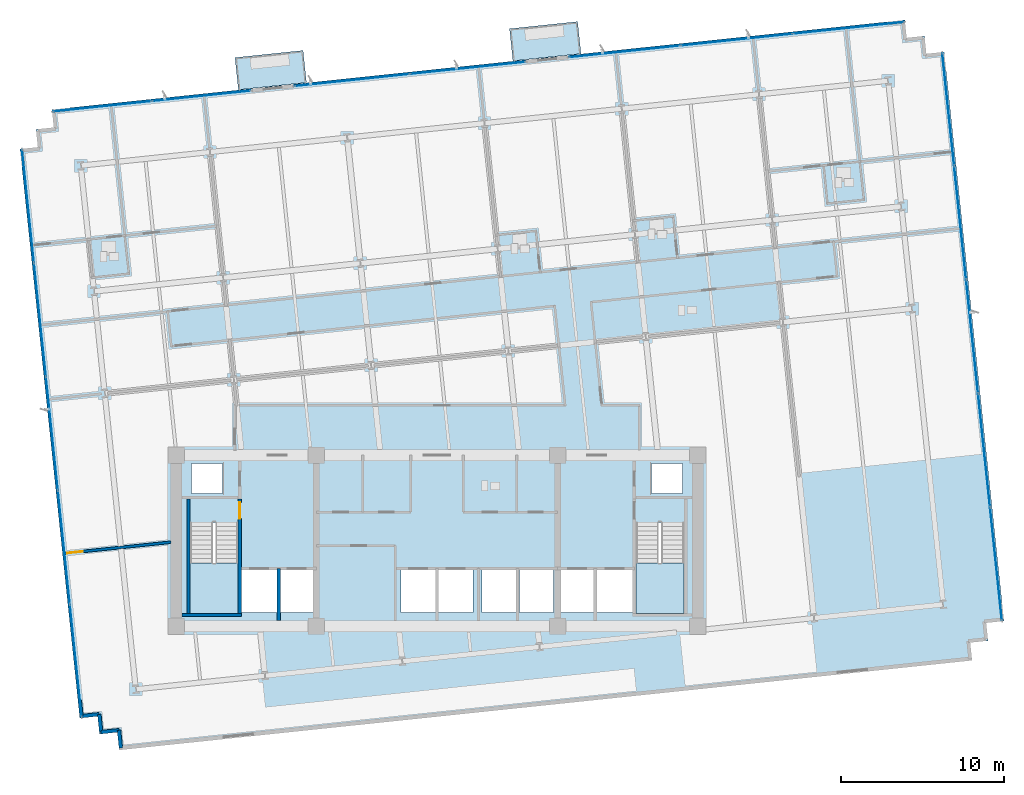
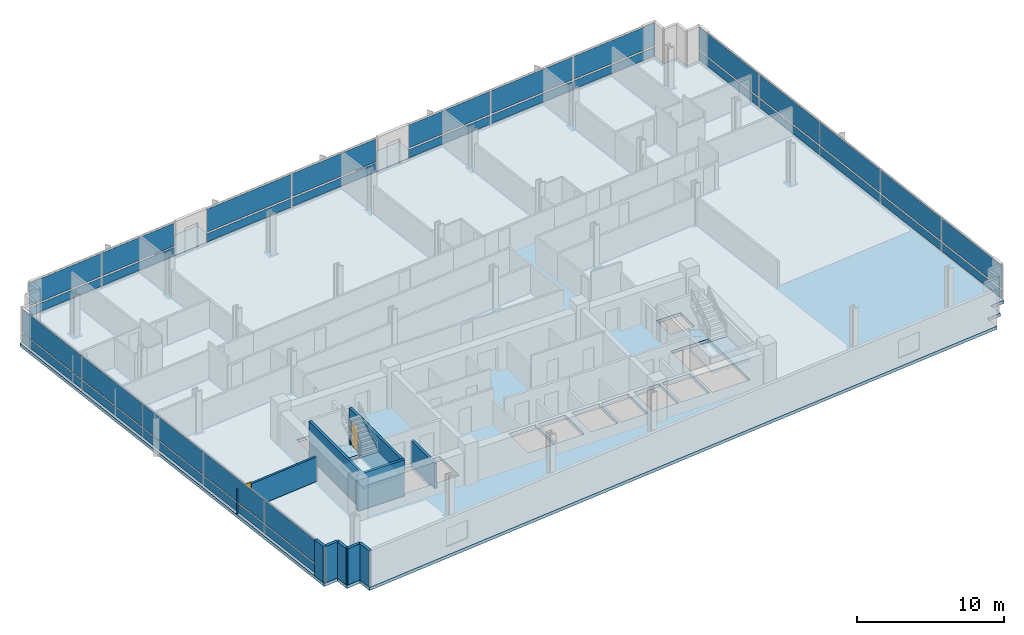
# One storey, part 9 of 18: 34 plates, 10 walls, 5 slabs, 2 doors, 2 openings, 7 elements without a shape of their own.
"""IFC4 building model written with IfcOpenShell, lengths in metres."""

import ifcopenshell
import ifcopenshell.guid

model = None  # the IFC model being written
_history = None  # IfcOwnerHistory: only IFC2X3 demands one
_inside = {}  # id of a spatial element -> (the spatial element, [elements in it])
_under = {}  # id of a project, library or spatial element -> (it, [spatial elements below it])
_declared = {}  # id of a project -> (the project, [libraries it declares])
_typed = {}  # id of a type object -> (the type object, [elements of that type])
_made_of = {}  # id of a material, layer set ... -> (it, [elements and type objects made of it])


def new_model(schema):
    """Start an empty IFC model of exactly this schema.

    Asked for "IFC4X3", IfcOpenShell would pick the latest addendum, in which some entities
    have other attributes; the version numbers below select the first issue.
    IFC2X3 requires an IfcOwnerHistory on every rooted entity: one is made here for all.
    """
    global model, _history
    if schema == "IFC4X3":
        model = ifcopenshell.file(schema_version=(4, 3, 0, 0))
    else:
        model = ifcopenshell.file(schema=schema)
    _inside.clear()
    _under.clear()
    _declared.clear()
    _typed.clear()
    _made_of.clear()
    _history = None
    if model.schema == "IFC2X3":
        org = make("IfcOrganization", Name="unknown")
        user = make(
            "IfcPersonAndOrganization",
            ThePerson=make("IfcPerson", FamilyName="unknown"),
            TheOrganization=org,
        )
        app = make(
            "IfcApplication",
            ApplicationDeveloper=org,
            Version="unknown",
            ApplicationFullName="unknown",
            ApplicationIdentifier="unknown",
        )
        _history = make(
            "IfcOwnerHistory",
            OwningUser=user,
            OwningApplication=app,
            ChangeAction="ADDED",
            CreationDate=0,
        )
    return model


def make(cls, **values):
    """One entity of the class cls with the attributes given. An attribute that is None is left unset."""
    return model.create_entity(
        cls, **{name: value for name, value in values.items() if value is not None}
    )


def rooted(cls, **values):
    """An entity with a GlobalId (a new one), such as an element, a storey or a relation."""
    return make(cls, GlobalId=ifcopenshell.guid.new(), OwnerHistory=_history, **values)


def si_unit(unit_type, name, prefix=None):
    """IfcSIUnit, for example si_unit("LENGTHUNIT", "METRE", prefix="MILLI")."""
    return make("IfcSIUnit", UnitType=unit_type, Prefix=prefix, Name=name)


def assignment(units):
    """IfcUnitAssignment: the units of a project."""
    return None if units is None else make("IfcUnitAssignment", Units=units)


def point(xyz):
    """IfcCartesianPoint."""
    return None if xyz is None else make("IfcCartesianPoint", Coordinates=xyz)


def direction(xyz):
    """IfcDirection."""
    return None if xyz is None else make("IfcDirection", DirectionRatios=xyz)


def frame(location, z_axis=None, x_axis=None):
    """IfcAxis2Placement3D, a coordinate frame: its origin and axes. An axis left out is left unset."""
    return make(
        "IfcAxis2Placement3D",
        Location=point(location),
        Axis=direction(z_axis),
        RefDirection=direction(x_axis),
    )


def frame_2d(location, x_axis=None):
    """IfcAxis2Placement2D, a coordinate frame in the plane: its origin and x axis."""
    return make(
        "IfcAxis2Placement2D", Location=point(location), RefDirection=direction(x_axis)
    )


def origin():
    """The frame at (0, 0, 0) with its axes left unset."""
    return frame((0.0, 0.0, 0.0))


def origin_2d():
    """The frame at (0, 0) in the plane with its x axis left unset."""
    return frame_2d((0.0, 0.0))


def place(relative_to, where):
    """IfcLocalPlacement: puts the frame where relative to a parent placement (None: the world)."""
    return make(
        "IfcLocalPlacement", PlacementRelTo=relative_to, RelativePlacement=where
    )


def context(
    kind, dimensions, precision=None, world=None, true_north=None, identifier=None
):
    """IfcGeometricRepresentationContext, for example the 3D "Model" context."""
    return make(
        "IfcGeometricRepresentationContext",
        ContextIdentifier=identifier,
        ContextType=kind,
        CoordinateSpaceDimension=dimensions,
        Precision=precision,
        WorldCoordinateSystem=world,
        TrueNorth=true_north,
    )


def subcontext(parent, identifier, kind, view, scale=None):
    """IfcGeometricRepresentationSubContext, for example "Body" below "Model"."""
    return make(
        "IfcGeometricRepresentationSubContext",
        ContextIdentifier=identifier,
        ContextType=kind,
        ParentContext=parent,
        TargetScale=scale,
        TargetView=view,
    )


def project(units=None, contexts=None):
    """IfcProject with its units and contexts."""
    return rooted(
        "IfcProject",
        Name="project",
        RepresentationContexts=contexts,
        UnitsInContext=assignment(units),
    )


def spatial(cls, under=None, at=None, **own):
    """A site, building, storey or space (cls), placed at a placement, below another one or the project."""
    s = rooted(cls, ObjectPlacement=at, **own)
    if under is not None:
        _under.setdefault(under.id(), (under, []))[1].append(s)
    return s


def polyline(points):
    """IfcPolyline through the points."""
    return make("IfcPolyline", Points=[point(p) for p in points])


def profile(cls, at=None, kind="AREA", **sizes):
    """A parametric profile (cls). Its sizes go by their IFC names, for example OverallWidth=200.0."""
    return make(cls, ProfileType=kind, Position=at, **sizes)


def rectangle(**sizes):
    """IfcRectangleProfileDef."""
    return profile("IfcRectangleProfileDef", **sizes)


def outline(outer, holes=None, kind="AREA"):
    """IfcArbitraryClosedProfileDef: a profile drawn as a closed curve; with holes, ...WithVoids."""
    if holes is None:
        return make("IfcArbitraryClosedProfileDef", ProfileType=kind, OuterCurve=outer)
    return make(
        "IfcArbitraryProfileDefWithVoids",
        ProfileType=kind,
        OuterCurve=outer,
        InnerCurves=holes,
    )


def extrude(swept, where, along, depth):
    """IfcExtrudedAreaSolid: the profile swept, set in the frame where, extruded along a direction by depth."""
    return make(
        "IfcExtrudedAreaSolid",
        SweptArea=swept,
        Position=where,
        ExtrudedDirection=direction(along),
        Depth=depth,
    )


def shape(context_of_items, identifier, shape_type, items):
    """IfcShapeRepresentation: the items that make up one representation, for example the "Body"."""
    return make(
        "IfcShapeRepresentation",
        ContextOfItems=context_of_items,
        RepresentationIdentifier=identifier,
        RepresentationType=shape_type,
        Items=items,
    )


def material(Name=None, Category=None):
    """IfcMaterial."""
    return make("IfcMaterial", Name=Name, Category=Category)


def layer(
    of_material, thickness, ventilated=None, Name=None, Category=None, Priority=None
):
    """IfcMaterialLayer: one layer of a wall or slab, of a material (None: an air gap)."""
    return make(
        "IfcMaterialLayer",
        Material=of_material,
        LayerThickness=thickness,
        IsVentilated=ventilated,
        Name=Name,
        Category=Category,
        Priority=Priority,
    )


def layer_set(layers, Name=None):
    """IfcMaterialLayerSet."""
    return make("IfcMaterialLayerSet", MaterialLayers=layers, LayerSetName=Name)


def made_of(thing, what):
    """Note that an element or type object is made of a material, layer set ...; save() writes the relation."""
    if what is not None:
        _made_of.setdefault(what.id(), (what, []))[1].append(thing)
    return thing


def type_object(cls, material=None, **own):
    """A type object (cls), such as IfcWallType, which elements share."""
    return made_of(rooted(cls, **own), material)


def element(
    cls,
    number,
    at=None,
    inside=None,
    cuts=None,
    type_object=None,
    material=None,
    context=None,
    identifier="Body",
    shape_type=None,
    held_by="IfcProductDefinitionShape",
    body=None,
    shapes=None,
    **own,
):
    """One element of the class cls, such as IfcWall. Its Tag is "e" and its number.

    at: its placement. inside: the storey or other place that contains it. cuts: it is an
    opening in that element (IfcRelVoidsElement). A single representation is given by context,
    identifier, shape_type and body (its items); several are given by shapes. held_by: the class
    of the entity that holds the representations. save() writes the other relations.
    """
    e = rooted(cls, Tag="e%d" % number, ObjectPlacement=at, **own)
    if body is not None:
        shapes = [shape(context, identifier, shape_type, body)]
    if shapes is not None:
        e.Representation = make(held_by, Representations=shapes)
    if inside is not None:
        _inside.setdefault(inside.id(), (inside, []))[1].append(e)
    if cuts is not None:
        rooted(
            "IfcRelVoidsElement", RelatingBuildingElement=cuts, RelatedOpeningElement=e
        )
    if type_object is not None:
        _typed.setdefault(type_object.id(), (type_object, []))[1].append(e)
    return made_of(e, material)


def fill(opening, filler):
    """IfcRelFillsElement: the door or window that sits in an opening."""
    return rooted(
        "IfcRelFillsElement",
        RelatingOpeningElement=opening,
        RelatedBuildingElement=filler,
    )


def aggregate(whole, parts):
    """IfcRelAggregates: a whole, such as a stair, and the parts it consists of."""
    return rooted("IfcRelAggregates", RelatingObject=whole, RelatedObjects=parts)


def save(model, path):
    """Write the relations noted so far, then the file.

    IfcRelAggregates (storeys below a building ...), IfcRelContainedInSpatialStructure (elements
    in a storey), IfcRelDefinesByType, IfcRelAssociatesMaterial and IfcRelDeclares: one each for
    every whole, place, type object, material and project.
    """
    for whole, parts in _under.values():
        aggregate(whole, parts)
    for where, things in _inside.values():
        rooted(
            "IfcRelContainedInSpatialStructure",
            RelatedElements=things,
            RelatingStructure=where,
        )
    for kind, things in _typed.values():
        rooted("IfcRelDefinesByType", RelatedObjects=things, RelatingType=kind)
    for what, things in _made_of.values():
        rooted("IfcRelAssociatesMaterial", RelatedObjects=things, RelatingMaterial=what)
    for by, libraries in _declared.values():
        rooted("IfcRelDeclares", RelatingContext=by, RelatedDefinitions=libraries)
    model.write(path)


model = new_model("IFC4")

# Units and contexts
model_context = context("Model", 3, precision=1e-05, world=origin(), true_north=direction((0.0, 1.0)))
body_context = subcontext(model_context, "Body", "Model", "MODEL_VIEW")
ifc_project = project(units=[si_unit("LENGTHUNIT", "METRE"), si_unit("AREAUNIT", "SQUARE_METRE"), si_unit("VOLUMEUNIT", "CUBIC_METRE"), si_unit("PLANEANGLEUNIT", "RADIAN"), si_unit("MASSUNIT", "GRAM", prefix="KILO")], contexts=[model_context])

# Site, building, storey
site_placement = place(None, origin())
site = spatial("IfcSite", under=ifc_project, at=site_placement, CompositionType="ELEMENT")
building_placement = place(site_placement, origin())
building = spatial("IfcBuilding", under=site, at=building_placement, Name="Solmavex Isthmus Hotel", CompositionType="ELEMENT")
storey_placement = place(building_placement, frame((0.0, 0.0, 127.050048828125)))
storey = spatial("IfcBuildingStorey", under=building, at=storey_placement, Name="L34", CompositionType="ELEMENT", Elevation=127.050048828125)

# Curtain wall, plates
ifc_material_1 = material(Name="Aluminium alloy 6063-T6", Category="aluminium")
curtain_wall_type = type_object("IfcCurtainWallType", Name="CW-SYS-03", PredefinedType="NOTDEFINED", material=ifc_material_1)
curtain_wall_1_placement = place(storey_placement, origin())
curtain_wall_1 = element("IfcCurtainWall", 1, at=curtain_wall_1_placement, inside=storey, type_object=curtain_wall_type, Name="Stick Curtain Wall CWL-L34-N1", PredefinedType="NOTDEFINED")
ifc_material_2 = material(Name="Clear low-E laminated glass", Category="glass")
ifc_layer_1 = layer(ifc_material_2, 0.030029296875)
ifc_layer_set_1 = layer_set([ifc_layer_1], Name="Clear low-E laminated glass")
plate_type = type_object("IfcPlateType", Name="CW-SYS-03-PNL", PredefinedType="CURTAIN_PANEL", material=ifc_layer_set_1)
plate_1_placement = place(storey_placement, frame((-20.531982421875, 18.896728515625, 0.139892578125), z_axis=(0.0, 0.0, 1.0), x_axis=(0.994521931062, 0.104528123665, 0.0)))
plate_1 = element("IfcPlate", 2, at=plate_1_placement, type_object=plate_type, Name="CW-03 panel 1.1", PredefinedType="CURTAIN_PANEL", context=body_context, shape_type="SweptSolid", body=[
    extrude(rectangle(XDim=6.04541015625, YDim=0.030029296875, at=origin_2d()), origin(), (0.0, 0.0, 1.0), 0.68994140625),
])
plate_2_placement = place(storey_placement, frame((-20.531982421875, 18.896728515625, 0.97021484375), z_axis=(0.0, 0.0, 1.0), x_axis=(0.994521931062, 0.104528123665, 0.0)))
plate_2 = element("IfcPlate", 3, at=plate_2_placement, type_object=plate_type, Name="CW-03 panel 1.2", PredefinedType="CURTAIN_PANEL", context=body_context, shape_type="SweptSolid", body=[
    extrude(rectangle(XDim=6.04541015625, YDim=0.030029296875, at=origin_2d()), origin(), (0.0, 0.0, 1.0), 1.889892578125),
])
plate_3_placement = place(storey_placement, frame((-14.449951171875, 19.535888671875, 0.139892578125), z_axis=(0.0, 0.0, 1.0), x_axis=(0.994521931062, 0.104528123665, 0.0)))
plate_3 = element("IfcPlate", 4, at=plate_3_placement, type_object=plate_type, Name="CW-03 panel 2.1", PredefinedType="CURTAIN_PANEL", context=body_context, shape_type="SweptSolid", body=[
    extrude(rectangle(XDim=6.04541015625, YDim=0.030029296875, at=origin_2d()), origin(), (0.0, 0.0, 1.0), 0.68994140625),
])
plate_4_placement = place(storey_placement, frame((-14.449951171875, 19.535888671875, 0.97021484375), z_axis=(0.0, 0.0, 1.0), x_axis=(0.994521931062, 0.104528123665, 0.0)))
plate_4 = element("IfcPlate", 5, at=plate_4_placement, type_object=plate_type, Name="CW-03 panel 2.2", PredefinedType="CURTAIN_PANEL", context=body_context, shape_type="SweptSolid", body=[
    extrude(rectangle(XDim=6.04541015625, YDim=0.030029296875, at=origin_2d()), origin(), (0.0, 0.0, 1.0), 1.889892578125),
])
aggregate(curtain_wall_1, [plate_1, plate_2, plate_3, plate_4])

curtain_wall_2_placement = place(storey_placement, origin())
curtain_wall_2 = element("IfcCurtainWall", 6, at=curtain_wall_2_placement, inside=storey, type_object=curtain_wall_type, Name="Stick Curtain Wall CWL-L34-N2", PredefinedType="NOTDEFINED")
plate_5_placement = place(storey_placement, frame((-5.207763671875, 20.50732421875, 0.139892578125), z_axis=(0.0, 0.0, 1.0), x_axis=(0.994521911082, 0.104528313766, 0.0)))
plate_5 = element("IfcPlate", 7, at=plate_5_placement, type_object=plate_type, Name="CW-03 panel 1.1", PredefinedType="CURTAIN_PANEL", context=body_context, shape_type="SweptSolid", body=[
    extrude(rectangle(XDim=7.06103515625, YDim=0.030029296875, at=origin_2d()), origin(), (0.0, 0.0, 1.0), 0.68994140625),
])
plate_6_placement = place(storey_placement, frame((-5.207763671875, 20.50732421875, 0.97021484375), z_axis=(0.0, 0.0, 1.0), x_axis=(0.994521911082, 0.104528313766, 0.0)))
plate_6 = element("IfcPlate", 8, at=plate_6_placement, type_object=plate_type, Name="CW-03 panel 1.2", PredefinedType="CURTAIN_PANEL", context=body_context, shape_type="SweptSolid", body=[
    extrude(rectangle(XDim=7.06103515625, YDim=0.030029296875, at=origin_2d()), origin(), (0.0, 0.0, 1.0), 1.889892578125),
])
plate_7_placement = place(storey_placement, frame((1.88427734375, 21.252685546875, 0.139892578125), z_axis=(0.0, 0.0, 1.0), x_axis=(0.994521911082, 0.104528313766, 0.0)))
plate_7 = element("IfcPlate", 9, at=plate_7_placement, type_object=plate_type, Name="CW-03 panel 2.1", PredefinedType="CURTAIN_PANEL", context=body_context, shape_type="SweptSolid", body=[
    extrude(rectangle(XDim=7.06103515625, YDim=0.030029296875, at=origin_2d()), origin(), (0.0, 0.0, 1.0), 0.68994140625),
])
plate_8_placement = place(storey_placement, frame((1.88427734375, 21.252685546875, 0.97021484375), z_axis=(0.0, 0.0, 1.0), x_axis=(0.994521911082, 0.104528313766, 0.0)))
plate_8 = element("IfcPlate", 10, at=plate_8_placement, type_object=plate_type, Name="CW-03 panel 2.2", PredefinedType="CURTAIN_PANEL", context=body_context, shape_type="SweptSolid", body=[
    extrude(rectangle(XDim=7.06103515625, YDim=0.030029296875, at=origin_2d()), origin(), (0.0, 0.0, 1.0), 1.889892578125),
])
aggregate(curtain_wall_2, [plate_5, plate_6, plate_7, plate_8])

curtain_wall_3_placement = place(storey_placement, origin())
curtain_wall_3 = element("IfcCurtainWall", 11, at=curtain_wall_3_placement, inside=storey, type_object=curtain_wall_type, Name="Stick Curtain Wall CWL-L34-N3", PredefinedType="NOTDEFINED")
plate_9_placement = place(storey_placement, frame((11.510498046875, 22.264404296875, 0.139892578125), z_axis=(0.0, 0.0, 1.0), x_axis=(0.994521905105, 0.10452837063, 0.0)))
plate_9 = element("IfcPlate", 12, at=plate_9_placement, type_object=plate_type, Name="CW-03 panel 1.1", PredefinedType="CURTAIN_PANEL", context=body_context, shape_type="SweptSolid", body=[
    extrude(rectangle(XDim=6.8173828125, YDim=0.030029296875, at=origin_2d()), origin(), (0.0, 0.0, 1.0), 0.68994140625),
])
plate_10_placement = place(storey_placement, frame((11.510498046875, 22.264404296875, 0.97021484375), z_axis=(0.0, 0.0, 1.0), x_axis=(0.994521905105, 0.10452837063, 0.0)))
plate_10 = element("IfcPlate", 13, at=plate_10_placement, type_object=plate_type, Name="CW-03 panel 1.2", PredefinedType="CURTAIN_PANEL", context=body_context, shape_type="SweptSolid", body=[
    extrude(rectangle(XDim=6.8173828125, YDim=0.030029296875, at=origin_2d()), origin(), (0.0, 0.0, 1.0), 1.889892578125),
])
plate_11_placement = place(storey_placement, frame((18.37744140625, 22.986083984375, 0.139892578125), z_axis=(0.0, 0.0, 1.0), x_axis=(0.994521905105, 0.10452837063, 0.0)))
plate_11 = element("IfcPlate", 14, at=plate_11_placement, type_object=plate_type, Name="CW-03 panel 2.1", PredefinedType="CURTAIN_PANEL", context=body_context, shape_type="SweptSolid", body=[
    extrude(rectangle(XDim=6.852294921875, YDim=0.030029296875, at=origin_2d()), origin(), (0.0, 0.0, 1.0), 0.68994140625),
])
plate_12_placement = place(storey_placement, frame((18.37744140625, 22.986083984375, 0.97021484375), z_axis=(0.0, 0.0, 1.0), x_axis=(0.994521905105, 0.10452837063, 0.0)))
plate_12 = element("IfcPlate", 15, at=plate_12_placement, type_object=plate_type, Name="CW-03 panel 2.2", PredefinedType="CURTAIN_PANEL", context=body_context, shape_type="SweptSolid", body=[
    extrude(rectangle(XDim=6.852294921875, YDim=0.030029296875, at=origin_2d()), origin(), (0.0, 0.0, 1.0), 1.889892578125),
])
plate_13_placement = place(storey_placement, frame((25.244384765625, 23.7080078125, 0.139892578125), z_axis=(0.0, 0.0, 1.0), x_axis=(0.994521905105, 0.10452837063, 0.0)))
plate_13 = element("IfcPlate", 16, at=plate_13_placement, type_object=plate_type, Name="CW-03 panel 3.1", PredefinedType="CURTAIN_PANEL", context=body_context, shape_type="SweptSolid", body=[
    extrude(rectangle(XDim=6.8173828125, YDim=0.030029296875, at=origin_2d()), origin(), (0.0, 0.0, 1.0), 0.68994140625),
])
plate_14_placement = place(storey_placement, frame((25.244384765625, 23.7080078125, 0.97021484375), z_axis=(0.0, 0.0, 1.0), x_axis=(0.994521905105, 0.10452837063, 0.0)))
plate_14 = element("IfcPlate", 17, at=plate_14_placement, type_object=plate_type, Name="CW-03 panel 3.2", PredefinedType="CURTAIN_PANEL", context=body_context, shape_type="SweptSolid", body=[
    extrude(rectangle(XDim=6.8173828125, YDim=0.030029296875, at=origin_2d()), origin(), (0.0, 0.0, 1.0), 1.889892578125),
])
aggregate(curtain_wall_3, [plate_9, plate_10, plate_11, plate_12, plate_13, plate_14])

curtain_wall_4_placement = place(storey_placement, origin())
curtain_wall_4 = element("IfcCurtainWall", 18, at=curtain_wall_4_placement, inside=storey, type_object=curtain_wall_type, Name="Stick Curtain Wall CWL-L34-W1", PredefinedType="NOTDEFINED")
plate_15_placement = place(storey_placement, frame((-22.15869140625, -15.1123046875, 0.139892578125), z_axis=(0.0, 0.0, 1.0), x_axis=(-0.104528485381, 0.994521893044, 0.0)))
plate_15 = element("IfcPlate", 19, at=plate_15_placement, type_object=plate_type, Name="CW-03 panel 1.1", PredefinedType="CURTAIN_PANEL", context=body_context, shape_type="SweptSolid", body=[
    extrude(rectangle(XDim=6.9150390625, YDim=0.030029296875, at=origin_2d()), origin(), (0.0, 0.0, 1.0), 0.68994140625),
])
plate_16_placement = place(storey_placement, frame((-22.15869140625, -15.1123046875, 0.97021484375), z_axis=(0.0, 0.0, 1.0), x_axis=(-0.104528485381, 0.994521893044, 0.0)))
plate_16 = element("IfcPlate", 20, at=plate_16_placement, type_object=plate_type, Name="CW-03 panel 1.2", PredefinedType="CURTAIN_PANEL", context=body_context, shape_type="SweptSolid", body=[
    extrude(rectangle(XDim=6.9150390625, YDim=0.030029296875, at=origin_2d()), origin(), (0.0, 0.0, 1.0), 1.889892578125),
])
plate_17_placement = place(storey_placement, frame((-22.890625, -8.14794921875, 0.139892578125), z_axis=(0.0, 0.0, 1.0), x_axis=(-0.104528485381, 0.994521893044, 0.0)))
plate_17 = element("IfcPlate", 21, at=plate_17_placement, type_object=plate_type, Name="CW-03 panel 2.1", PredefinedType="CURTAIN_PANEL", context=body_context, shape_type="SweptSolid", body=[
    extrude(rectangle(XDim=6.949951171875, YDim=0.030029296875, at=origin_2d()), origin(), (0.0, 0.0, 1.0), 0.68994140625),
])
plate_18_placement = place(storey_placement, frame((-22.890625, -8.14794921875, 0.97021484375), z_axis=(0.0, 0.0, 1.0), x_axis=(-0.104528485381, 0.994521893044, 0.0)))
plate_18 = element("IfcPlate", 22, at=plate_18_placement, type_object=plate_type, Name="CW-03 panel 2.2", PredefinedType="CURTAIN_PANEL", context=body_context, shape_type="SweptSolid", body=[
    extrude(rectangle(XDim=6.949951171875, YDim=0.030029296875, at=origin_2d()), origin(), (0.0, 0.0, 1.0), 1.889892578125),
])
plate_19_placement = place(storey_placement, frame((-23.62451171875, -1.16650390625, 0.139892578125), z_axis=(0.0, 0.0, 1.0), x_axis=(-0.104528485381, 0.994521893044, 0.0)))
plate_19 = element("IfcPlate", 23, at=plate_19_placement, type_object=plate_type, Name="CW-03 panel 3.1", PredefinedType="CURTAIN_PANEL", context=body_context, shape_type="SweptSolid", body=[
    extrude(rectangle(XDim=6.949951171875, YDim=0.030029296875, at=origin_2d()), origin(), (0.0, 0.0, 1.0), 0.68994140625),
])
plate_20_placement = place(storey_placement, frame((-23.62451171875, -1.16650390625, 0.97021484375), z_axis=(0.0, 0.0, 1.0), x_axis=(-0.104528485381, 0.994521893044, 0.0)))
plate_20 = element("IfcPlate", 24, at=plate_20_placement, type_object=plate_type, Name="CW-03 panel 3.2", PredefinedType="CURTAIN_PANEL", context=body_context, shape_type="SweptSolid", body=[
    extrude(rectangle(XDim=6.949951171875, YDim=0.030029296875, at=origin_2d()), origin(), (0.0, 0.0, 1.0), 1.889892578125),
])
plate_21_placement = place(storey_placement, frame((-24.3583984375, 5.81494140625, 0.139892578125), z_axis=(0.0, 0.0, 1.0), x_axis=(-0.104528485381, 0.994521893044, 0.0)))
plate_21 = element("IfcPlate", 25, at=plate_21_placement, type_object=plate_type, Name="CW-03 panel 4.1", PredefinedType="CURTAIN_PANEL", context=body_context, shape_type="SweptSolid", body=[
    extrude(rectangle(XDim=6.949951171875, YDim=0.030029296875, at=origin_2d()), origin(), (0.0, 0.0, 1.0), 0.68994140625),
])
plate_22_placement = place(storey_placement, frame((-24.3583984375, 5.81494140625, 0.97021484375), z_axis=(0.0, 0.0, 1.0), x_axis=(-0.104528485381, 0.994521893044, 0.0)))
plate_22 = element("IfcPlate", 26, at=plate_22_placement, type_object=plate_type, Name="CW-03 panel 4.2", PredefinedType="CURTAIN_PANEL", context=body_context, shape_type="SweptSolid", body=[
    extrude(rectangle(XDim=6.949951171875, YDim=0.030029296875, at=origin_2d()), origin(), (0.0, 0.0, 1.0), 1.889892578125),
])
plate_23_placement = place(storey_placement, frame((-25.09033203125, 12.779052734375, 0.139892578125), z_axis=(0.0, 0.0, 1.0), x_axis=(-0.104528485381, 0.994521893044, 0.0)))
plate_23 = element("IfcPlate", 27, at=plate_23_placement, type_object=plate_type, Name="CW-03 panel 5.1", PredefinedType="CURTAIN_PANEL", context=body_context, shape_type="SweptSolid", body=[
    extrude(rectangle(XDim=6.9150390625, YDim=0.030029296875, at=origin_2d()), origin(), (0.0, 0.0, 1.0), 0.68994140625),
])
plate_24_placement = place(storey_placement, frame((-25.09033203125, 12.779052734375, 0.97021484375), z_axis=(0.0, 0.0, 1.0), x_axis=(-0.104528485381, 0.994521893044, 0.0)))
plate_24 = element("IfcPlate", 28, at=plate_24_placement, type_object=plate_type, Name="CW-03 panel 5.2", PredefinedType="CURTAIN_PANEL", context=body_context, shape_type="SweptSolid", body=[
    extrude(rectangle(XDim=6.9150390625, YDim=0.030029296875, at=origin_2d()), origin(), (0.0, 0.0, 1.0), 1.889892578125),
])
aggregate(curtain_wall_4, [plate_15, plate_16, plate_17, plate_18, plate_19, plate_20, plate_21, plate_22, plate_23, plate_24])

curtain_wall_5_placement = place(storey_placement, origin())
curtain_wall_5 = element("IfcCurtainWall", 29, at=curtain_wall_5_placement, inside=storey, type_object=curtain_wall_type, Name="Stick Curtain Wall CWL-L34-E1", PredefinedType="NOTDEFINED")
plate_25_placement = place(storey_placement, frame((34.290283203125, -9.17919921875, 0.139892578125), z_axis=(0.0, 0.0, 1.0), x_axis=(-0.104528485381, 0.994521893044, 0.0)))
plate_25 = element("IfcPlate", 30, at=plate_25_placement, type_object=plate_type, Name="CW-03 panel 1.1", PredefinedType="CURTAIN_PANEL", context=body_context, shape_type="SweptSolid", body=[
    extrude(rectangle(XDim=6.9150390625, YDim=0.030029296875, at=origin_2d()), origin(), (0.0, 0.0, 1.0), 0.68994140625),
])
plate_26_placement = place(storey_placement, frame((34.290283203125, -9.17919921875, 0.97021484375), z_axis=(0.0, 0.0, 1.0), x_axis=(-0.104528485381, 0.994521893044, 0.0)))
plate_26 = element("IfcPlate", 31, at=plate_26_placement, type_object=plate_type, Name="CW-03 panel 1.2", PredefinedType="CURTAIN_PANEL", context=body_context, shape_type="SweptSolid", body=[
    extrude(rectangle(XDim=6.9150390625, YDim=0.030029296875, at=origin_2d()), origin(), (0.0, 0.0, 1.0), 1.889892578125),
])
plate_27_placement = place(storey_placement, frame((33.558349609375, -2.215087890625, 0.139892578125), z_axis=(0.0, 0.0, 1.0), x_axis=(-0.104528485381, 0.994521893044, 0.0)))
plate_27 = element("IfcPlate", 32, at=plate_27_placement, type_object=plate_type, Name="CW-03 panel 2.1", PredefinedType="CURTAIN_PANEL", context=body_context, shape_type="SweptSolid", body=[
    extrude(rectangle(XDim=6.949951171875, YDim=0.030029296875, at=origin_2d()), origin(), (0.0, 0.0, 1.0), 0.68994140625),
])
plate_28_placement = place(storey_placement, frame((33.558349609375, -2.215087890625, 0.97021484375), z_axis=(0.0, 0.0, 1.0), x_axis=(-0.104528485381, 0.994521893044, 0.0)))
plate_28 = element("IfcPlate", 33, at=plate_28_placement, type_object=plate_type, Name="CW-03 panel 2.2", PredefinedType="CURTAIN_PANEL", context=body_context, shape_type="SweptSolid", body=[
    extrude(rectangle(XDim=6.949951171875, YDim=0.030029296875, at=origin_2d()), origin(), (0.0, 0.0, 1.0), 1.889892578125),
])
plate_29_placement = place(storey_placement, frame((32.824462890625, 4.7666015625, 0.139892578125), z_axis=(0.0, 0.0, 1.0), x_axis=(-0.104528485381, 0.994521893044, 0.0)))
plate_29 = element("IfcPlate", 34, at=plate_29_placement, type_object=plate_type, Name="CW-03 panel 3.1", PredefinedType="CURTAIN_PANEL", context=body_context, shape_type="SweptSolid", body=[
    extrude(rectangle(XDim=6.949951171875, YDim=0.030029296875, at=origin_2d()), origin(), (0.0, 0.0, 1.0), 0.68994140625),
])
plate_30_placement = place(storey_placement, frame((32.824462890625, 4.7666015625, 0.97021484375), z_axis=(0.0, 0.0, 1.0), x_axis=(-0.104528485381, 0.994521893044, 0.0)))
plate_30 = element("IfcPlate", 35, at=plate_30_placement, type_object=plate_type, Name="CW-03 panel 3.2", PredefinedType="CURTAIN_PANEL", context=body_context, shape_type="SweptSolid", body=[
    extrude(rectangle(XDim=6.949951171875, YDim=0.030029296875, at=origin_2d()), origin(), (0.0, 0.0, 1.0), 1.889892578125),
])
plate_31_placement = place(storey_placement, frame((32.0908203125, 11.748046875, 0.139892578125), z_axis=(0.0, 0.0, 1.0), x_axis=(-0.104528485381, 0.994521893044, 0.0)))
plate_31 = element("IfcPlate", 36, at=plate_31_placement, type_object=plate_type, Name="CW-03 panel 4.1", PredefinedType="CURTAIN_PANEL", context=body_context, shape_type="SweptSolid", body=[
    extrude(rectangle(XDim=6.949951171875, YDim=0.030029296875, at=origin_2d()), origin(), (0.0, 0.0, 1.0), 0.68994140625),
])
plate_32_placement = place(storey_placement, frame((32.0908203125, 11.748046875, 0.97021484375), z_axis=(0.0, 0.0, 1.0), x_axis=(-0.104528485381, 0.994521893044, 0.0)))
plate_32 = element("IfcPlate", 37, at=plate_32_placement, type_object=plate_type, Name="CW-03 panel 4.2", PredefinedType="CURTAIN_PANEL", context=body_context, shape_type="SweptSolid", body=[
    extrude(rectangle(XDim=6.949951171875, YDim=0.030029296875, at=origin_2d()), origin(), (0.0, 0.0, 1.0), 1.889892578125),
])
plate_33_placement = place(storey_placement, frame((31.35888671875, 18.712158203125, 0.139892578125), z_axis=(0.0, 0.0, 1.0), x_axis=(-0.104528485381, 0.994521893044, 0.0)))
plate_33 = element("IfcPlate", 38, at=plate_33_placement, type_object=plate_type, Name="CW-03 panel 5.1", PredefinedType="CURTAIN_PANEL", context=body_context, shape_type="SweptSolid", body=[
    extrude(rectangle(XDim=6.9150390625, YDim=0.030029296875, at=origin_2d()), origin(), (0.0, 0.0, 1.0), 0.68994140625),
])
plate_34_placement = place(storey_placement, frame((31.35888671875, 18.712158203125, 0.97021484375), z_axis=(0.0, 0.0, 1.0), x_axis=(-0.104528485381, 0.994521893044, 0.0)))
plate_34 = element("IfcPlate", 39, at=plate_34_placement, type_object=plate_type, Name="CW-03 panel 5.2", PredefinedType="CURTAIN_PANEL", context=body_context, shape_type="SweptSolid", body=[
    extrude(rectangle(XDim=6.9150390625, YDim=0.030029296875, at=origin_2d()), origin(), (0.0, 0.0, 1.0), 1.889892578125),
])
aggregate(curtain_wall_5, [plate_25, plate_26, plate_27, plate_28, plate_29, plate_30, plate_31, plate_32, plate_33, plate_34])

# Slabs
ifc_material_3 = material(Name="Concrete C40/50", Category="concrete")
ifc_layer_2 = layer(ifc_material_3, 0.239990234375)
ifc_layer_set_2 = layer_set([ifc_layer_2], Name="Concrete C40/50")
slab_type_1 = type_object("IfcSlabType", Name="SLAB-BALC-240", PredefinedType="FLOOR", material=ifc_layer_set_2)
slab_1_placement = place(storey_placement, frame((0.0, 0.0, -0.239990234375)))
element("IfcSlab", 40, at=slab_1_placement, inside=storey, type_object=slab_type_1, Name="Tree-Planter Balcony Slab L34-B1", PredefinedType="FLOOR", context=body_context, shape_type="SweptSolid", body=[
    extrude(outline(polyline([(-12.183837890625, 19.909912109375), (-8.0068359375, 20.348876953125), (-8.21435546875, 22.322998046875), (-12.391357421875, 21.884033203125), (-12.183837890625, 19.909912109375)])), origin(), (0.0, 0.0, 1.0), 0.239990234375),
])
slab_2_placement = place(storey_placement, frame((0.0, 0.0, -0.239990234375)))
element("IfcSlab", 41, at=slab_2_placement, inside=storey, type_object=slab_type_1, Name="Tree-Planter Balcony Slab L34-B2", PredefinedType="FLOOR", context=body_context, shape_type="SweptSolid", body=[
    extrude(outline(polyline([(4.6552734375, 21.6796875), (8.832275390625, 22.11865234375), (8.624755859375, 24.0927734375), (4.44775390625, 23.65380859375), (4.6552734375, 21.6796875)])), origin(), (0.0, 0.0, 1.0), 0.239990234375),
])
ifc_layer_3 = layer(ifc_material_3, 0.260009765625)
ifc_layer_set_3 = layer_set([ifc_layer_3], Name="Concrete C40/50")
slab_type_2 = type_object("IfcSlabType", Name="SLAB-TYP-260", PredefinedType="FLOOR", material=ifc_layer_set_3)
slab_3_placement = place(storey_placement, frame((0.0, 0.0, -0.260009765625)))
element("IfcSlab", 42, at=slab_3_placement, inside=storey, type_object=slab_type_2, Name="Tower Structural Floor Slab L34", PredefinedType="FLOOR", context=body_context, shape_type="SweptSolid", body=[
    extrude(outline(polyline([(-18.3974609375, -20.475830078125), (31.726318359375, -15.207763671875), (32.8203125, -15.0927734375), (32.705322265625, -13.998779296875), (33.79931640625, -13.8837890625), (33.684326171875, -12.789794921875), (34.7783203125, -12.6748046875), (34.663330078125, -11.580810546875), (31.224365234375, 21.138916015625), (31.109375, 22.23291015625), (30.015380859375, 22.117919921875), (29.900390625, 23.2119140625), (28.806396484375, 23.096923828125), (28.69140625, 24.19091796875), (27.597412109375, 24.075927734375), (-22.5263671875, 18.8076171875), (-23.620361328125, 18.692626953125), (-23.50537109375, 17.5986328125), (-24.599365234375, 17.483642578125), (-24.484375, 16.389892578125), (-25.578369140625, 16.27490234375), (-25.46337890625, 15.180908203125), (-22.0244140625, -17.5390625), (-21.909423828125, -18.6328125), (-20.8154296875, -18.517822265625), (-20.700439453125, -19.61181640625), (-19.6064453125, -19.496826171875), (-19.491455078125, -20.5908203125), (-18.3974609375, -20.475830078125)]), holes=[polyline([(-15.14990234375, -6.617919921875), (-15.14990234375, -12.199951171875), (-12.199951171875, -12.199951171875), (-12.199951171875, -6.617919921875), (-15.14990234375, -6.617919921875)]), polyline([(12.199951171875, -6.617919921875), (12.199951171875, -12.199951171875), (15.14990234375, -12.199951171875), (15.14990234375, -6.617919921875), (12.199951171875, -6.617919921875)]), polyline([(-12.0, -12.14990234375), (-9.800048828125, -12.14990234375), (-9.800048828125, -9.550048828125), (-12.0, -9.550048828125), (-12.0, -12.14990234375)]), polyline([(9.800048828125, -12.14990234375), (12.0, -12.14990234375), (12.0, -9.550048828125), (9.800048828125, -9.550048828125), (9.800048828125, -12.14990234375)]), polyline([(-9.60009765625, -12.14990234375), (-7.60009765625, -12.14990234375), (-7.60009765625, -9.550048828125), (-9.60009765625, -9.550048828125), (-9.60009765625, -12.14990234375)]), polyline([(7.60009765625, -12.14990234375), (9.60009765625, -12.14990234375), (9.60009765625, -9.550048828125), (7.60009765625, -9.550048828125), (7.60009765625, -12.14990234375)]), polyline([(-2.199951171875, -12.14990234375), (-0.10009765625, -12.14990234375), (-0.10009765625, -9.550048828125), (-2.199951171875, -9.550048828125), (-2.199951171875, -12.14990234375)]), polyline([(0.10009765625, -12.14990234375), (2.199951171875, -12.14990234375), (2.199951171875, -9.550048828125), (0.10009765625, -9.550048828125), (0.10009765625, -12.14990234375)]), polyline([(2.75, -12.14990234375), (4.85009765625, -12.14990234375), (4.85009765625, -9.550048828125), (2.75, -9.550048828125), (2.75, -12.14990234375)]), polyline([(5.050048828125, -12.14990234375), (7.14990234375, -12.14990234375), (7.14990234375, -9.550048828125), (5.050048828125, -9.550048828125), (5.050048828125, -12.14990234375)]), polyline([(-15.050048828125, -4.85009765625), (-13.14990234375, -4.85009765625), (-13.14990234375, -3.0), (-15.050048828125, -3.0), (-15.050048828125, -4.85009765625)]), polyline([(13.14990234375, -4.85009765625), (15.050048828125, -4.85009765625), (15.050048828125, -3.0), (13.14990234375, -3.0), (13.14990234375, -4.85009765625)])]), origin(), (0.0, 0.0, 1.0), 0.260009765625),
])

# Stair, slab
stair_type_1 = type_object("IfcStairType", Name="STR-ST-1", PredefinedType="HALF_TURN_STAIR", material=ifc_material_3)
stair_1_placement = place(storey_placement, origin())
stair_1 = element("IfcStair", 43, at=stair_1_placement, inside=storey, type_object=stair_type_1, Name="L34 Protected Exit Stair ST-1", PredefinedType="HALF_TURN_STAIR")
ifc_layer_4 = layer(ifc_material_3, 0.219970703125)
ifc_layer_set_4 = layer_set([ifc_layer_4], Name="Concrete C40/50")
slab_type_3 = type_object("IfcSlabType", Name="SLD-ST-1", PredefinedType="LANDING", material=ifc_layer_set_4)
slab_4_placement = place(storey_placement, frame((0.0, 0.0, 1.52490234375)))
slab_4 = element("IfcSlab", 44, at=slab_4_placement, type_object=slab_type_3, Name="ST-1 landing 1", PredefinedType="LANDING", context=body_context, shape_type="SweptSolid", body=[
    extrude(outline(polyline([(-15.14990234375, -9.1201171875), (-15.14990234375, -12.199951171875), (-12.199951171875, -12.199951171875), (-12.199951171875, -9.1201171875), (-15.14990234375, -9.1201171875)])), origin(), (0.0, 0.0, 1.0), 0.199951171875),
])
aggregate(stair_1, [slab_4])

stair_type_2 = type_object("IfcStairType", Name="STR-ST-2", PredefinedType="HALF_TURN_STAIR", material=ifc_material_3)
stair_2_placement = place(storey_placement, origin())
stair_2 = element("IfcStair", 45, at=stair_2_placement, inside=storey, type_object=stair_type_2, Name="L34 Protected Exit Stair ST-2", PredefinedType="HALF_TURN_STAIR")
ifc_layer_5 = layer(ifc_material_3, 0.219970703125)
ifc_layer_set_5 = layer_set([ifc_layer_5], Name="Concrete C40/50")
slab_type_4 = type_object("IfcSlabType", Name="SLD-ST-2", PredefinedType="LANDING", material=ifc_layer_set_5)
slab_5_placement = place(storey_placement, frame((0.0, 0.0, 1.52490234375)))
slab_5 = element("IfcSlab", 46, at=slab_5_placement, type_object=slab_type_4, Name="ST-2 landing 1", PredefinedType="LANDING", context=body_context, shape_type="SweptSolid", body=[
    extrude(outline(polyline([(12.199951171875, -9.1201171875), (12.199951171875, -12.199951171875), (15.14990234375, -12.199951171875), (15.14990234375, -9.1201171875), (12.199951171875, -9.1201171875)])), origin(), (0.0, 0.0, 1.0), 0.199951171875),
])
aggregate(stair_2, [slab_5])

# Walls
ifc_material_4 = material(Name="Precast Concrete C40/50", Category="concrete")
ifc_layer_6 = layer(ifc_material_4, 0.25)
ifc_layer_set_6 = layer_set([ifc_layer_6], Name="Precast Concrete C40/50")
wall_type_1 = type_object("IfcWallType", Name="EW-TWR-250", PredefinedType="STANDARD", material=ifc_layer_set_6)
for number, where, z_axis, x_axis, name in (
    (47, (-19.3935546875, -20.469970703125, 0.0), (0.0, 0.0, 1.0), (-0.104534592565, 0.994521251134, 0.0), "Serrated Corner Facade Panel L34-01"),
    (48, (-19.508544921875, -19.3759765625, 0.0), (0.0, 0.0, 1.0), (-0.994521251134, -0.104534592565, 0.0), "Serrated Corner Facade Panel L34-02"),
    (49, (-20.6025390625, -19.490966796875, 0.0), (0.0, 0.0, 1.0), (-0.104534592565, 0.994521251134, 0.0), "Serrated Corner Facade Panel L34-03"),
    (50, (-20.717529296875, -18.39697265625, 0.0), (0.0, 0.0, 1.0), (-0.994521251134, -0.104534592565, 0.0), "Serrated Corner Facade Panel L34-04"),
):
    element("IfcWall", number, at=place(storey_placement, frame(where, z_axis=z_axis, x_axis=x_axis)), inside=storey, type_object=wall_type_1, Name=name, PredefinedType="STANDARD", context=body_context, shape_type="SweptSolid", body=[
        extrude(rectangle(XDim=1.10009765625, YDim=0.219970703125, at=frame_2d((0.550048828125, 0.0))), origin(), (0.0, 0.0, 1.0), 3.0),
    ])
wall_1_placement = place(storey_placement, frame((-21.8115234375, -18.511962890625, 0.0), z_axis=(0.0, 0.0, 1.0), x_axis=(-0.104556418955, 0.99451895671, 0.0)))
element("IfcWall", 51, at=wall_1_placement, inside=storey, type_object=wall_type_1, Name="Serrated Corner Facade Panel L34-05", PredefinedType="STANDARD", context=body_context, shape_type="SweptSolid", body=[
    extrude(rectangle(XDim=0.989990234375, YDim=0.219970703125, at=frame_2d((0.4951171875, 0.0))), origin(), (0.0, 0.0, 1.0), 3.0),
])

# Wall, opening, door
ifc_material_5 = material(Name="Gypsum plasterboard lining", Category="gypsum")
ifc_layer_7 = layer(ifc_material_5, 0.159912109375)
ifc_layer_set_7 = layer_set([ifc_layer_7], Name="Gypsum plasterboard lining")
wall_type_2 = type_object("IfcWallType", Name="IW-COMP-160", PredefinedType="PARTITIONING", material=ifc_layer_set_7)
wall_2_placement = place(storey_placement, frame((-16.310302734375, -7.838623046875, 0.0), z_axis=(0.0, 0.0, 1.0), x_axis=(-0.994521816957, -0.104529209299, 0.0)))
wall_2 = element("IfcWall", 52, at=wall_2_placement, inside=storey, type_object=wall_type_2, Name="Interior Partition Wall W-L34-P066", PredefinedType="PARTITIONING", context=body_context, shape_type="SweptSolid", body=[
    extrude(rectangle(XDim=6.61669921875, YDim=0.159912109375, at=frame_2d((3.308349609375, 0.0))), origin(), (0.0, 0.0, 1.0), 2.034912109375),
])
opening_1_placement = place(wall_2_placement, frame((5.456787109375, 0.0, 0.0)))
opening_1 = element("IfcOpeningElement", 53, at=opening_1_placement, cuts=wall_2, Name="Opening ID-C095", PredefinedType="OPENING", context=body_context, shape_type="SweptSolid", body=[
    extrude(rectangle(XDim=0.949951171875, YDim=2.14990234375, at=frame_2d((0.47509765625, 1.074951171875))), frame((0.0, 0.08984375, 0.0), z_axis=(0.0, -1.0, 0.0), x_axis=(1.0, 0.0, 0.0)), (0.0, 0.0, 1.0), 0.179931640625),
])
ifc_material_6 = material(Name="Hardwood timber", Category="wood")
door_type_1 = type_object("IfcDoorType", Name="IDR-FD60-0950", OperationType="NOTDEFINED", PredefinedType="DOOR", material=ifc_material_6)
door_1_placement = place(opening_1_placement, frame((0.949951171875, 0.0, 0.0), z_axis=(0.0, 0.0, 1.0), x_axis=(-1.0, 0.0, 0.0)))
door_1 = element("IfcDoor", 54, at=door_1_placement, inside=storey, type_object=door_type_1, Name="Corporate Briefing Office Door L34-19", OperationType="SINGLE_SWING_LEFT", OverallHeight=2.14990234375, OverallWidth=0.949951171875, PredefinedType="DOOR", context=body_context, shape_type="SweptSolid", body=[
    extrude(rectangle(XDim=0.949951171875, YDim=2.14990234375, at=frame_2d((0.47509765625, 1.074951171875))), frame((0.0, 0.02490234375, 0.0), z_axis=(0.0, -1.0, 0.0), x_axis=(1.0, 0.0, 0.0)), (0.0, 0.0, 1.0), 0.050048828125),
])
fill(opening_1, door_1)

# Walls
ifc_layer_8 = layer(ifc_material_3, 0.199951171875)
ifc_layer_set_8 = layer_set([ifc_layer_8], Name="Concrete C40/50")
wall_type_3 = type_object("IfcWallType", Name="IW-SHAFT-200", PredefinedType="PARTITIONING", material=ifc_layer_set_8)
wall_3_placement = place(storey_placement, frame((-9.699951171875, -12.64990234375, 0.0), z_axis=(0.0, 0.0, 1.0), x_axis=(0.0, 1.0, 0.0)))
element("IfcWall", 55, at=wall_3_placement, inside=storey, type_object=wall_type_3, Name="Interior Partition Wall W-L34-FFLW-M", PredefinedType="PARTITIONING", context=body_context, shape_type="SweptSolid", body=[
    extrude(rectangle(XDim=3.199951171875, YDim=0.199951171875, at=frame_2d((1.60009765625, 0.0))), origin(), (0.0, 0.0, 1.0), 2.034912109375),
])
ifc_layer_9 = layer(ifc_material_3, 0.199951171875)
ifc_layer_set_9 = layer_set([ifc_layer_9], Name="Concrete C40/50")
wall_type_4 = type_object("IfcWallType", Name="WALL-SW-200", PredefinedType="SOLIDWALL", material=ifc_layer_set_9)
wall_4_placement = place(storey_placement, frame((-15.64990234375, -12.300048828125, 0.0), z_axis=(0.0, 0.0, 1.0), x_axis=(1.0, 0.0, 0.0)))
element("IfcWall", 56, at=wall_4_placement, inside=storey, type_object=wall_type_4, Name="Stairwell Structural Wall SW-L34-ST1-S", PredefinedType="SOLIDWALL", context=body_context, shape_type="SweptSolid", body=[
    extrude(rectangle(XDim=3.64990234375, YDim=0.199951171875, at=frame_2d((1.824951171875, 0.0))), origin(), (0.0, 0.0, 1.0), 3.0),
])
wall_5_placement = place(storey_placement, frame((-15.25, -12.199951171875, 0.0), z_axis=(0.0, 0.0, 1.0), x_axis=(0.0, 1.0, 0.0)))
element("IfcWall", 57, at=wall_5_placement, inside=storey, type_object=wall_type_4, Name="Stairwell Structural Wall SW-L34-ST1-W", PredefinedType="SOLIDWALL", context=body_context, shape_type="SweptSolid", body=[
    extrude(rectangle(XDim=7.0, YDim=0.199951171875, at=frame_2d((3.5, 0.0))), origin(), (0.0, 0.0, 1.0), 3.0),
])

# Wall, opening, door
wall_6_placement = place(storey_placement, frame((-12.10009765625, -12.199951171875, 0.0), z_axis=(0.0, 0.0, 1.0), x_axis=(0.0, 1.0, 0.0)))
wall_6 = element("IfcWall", 58, at=wall_6_placement, inside=storey, type_object=wall_type_4, Name="Stairwell Structural Wall SW-L34-ST1-E", PredefinedType="SOLIDWALL", context=body_context, shape_type="SweptSolid", body=[
    extrude(rectangle(XDim=7.0, YDim=0.199951171875, at=frame_2d((3.5, 0.0))), origin(), (0.0, 0.0, 1.0), 3.0),
])
opening_2_placement = place(wall_6_placement, frame((5.800048828125, 0.0, 0.0)))
opening_2 = element("IfcOpeningElement", 59, at=opening_2_placement, cuts=wall_6, Name="Opening ID-F100", PredefinedType="OPENING", context=body_context, shape_type="SweptSolid", body=[
    extrude(rectangle(XDim=1.0, YDim=2.10009765625, at=frame_2d((0.5, 1.050048828125))), frame((0.0, 0.10986328125, 0.0), z_axis=(0.0, -1.0, 0.0), x_axis=(1.0, 0.0, 0.0)), (0.0, 0.0, 1.0), 0.219970703125),
])
ifc_material_7 = material(Name="Steel ASTM A500 Grade C", Category="steel")
door_type_2 = type_object("IfcDoorType", Name="IDR-FD90-1000", OperationType="NOTDEFINED", PredefinedType="DOOR", material=ifc_material_7)
door_2_placement = place(opening_2_placement, frame((1.0, 0.0, 0.0), z_axis=(0.0, 0.0, 1.0), x_axis=(-1.0, 0.0, 0.0)))
door_2 = element("IfcDoor", 60, at=door_2_placement, inside=storey, type_object=door_type_2, Name="Stair ST-1 Fire Door L34", OperationType="SINGLE_SWING_LEFT", OverallHeight=2.10009765625, OverallWidth=1.0, PredefinedType="DOOR", context=body_context, shape_type="SweptSolid", body=[
    extrude(rectangle(XDim=1.0, YDim=2.10009765625, at=frame_2d((0.5, 1.050048828125))), frame((0.0, 0.02490234375, 0.0), z_axis=(0.0, -1.0, 0.0), x_axis=(1.0, 0.0, 0.0)), (0.0, 0.0, 1.0), 0.050048828125),
])
fill(opening_2, door_2)

save(model, "model.ifc")
